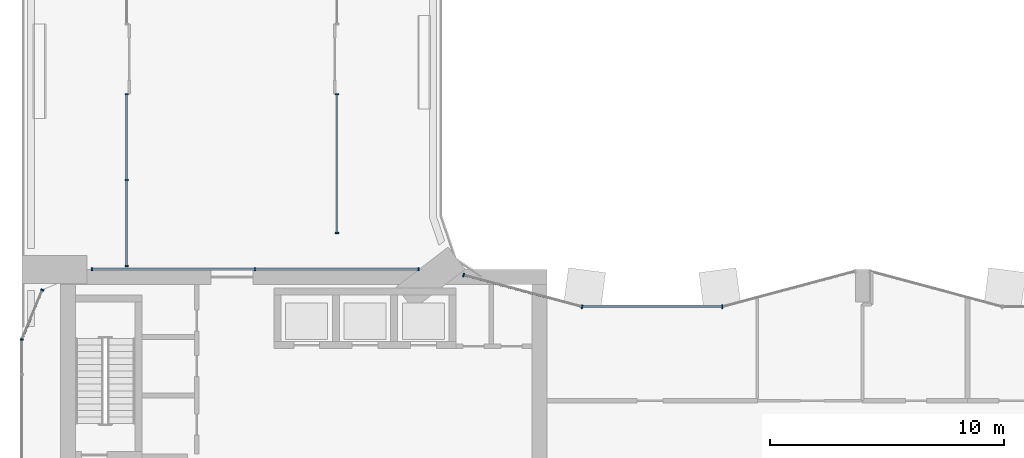
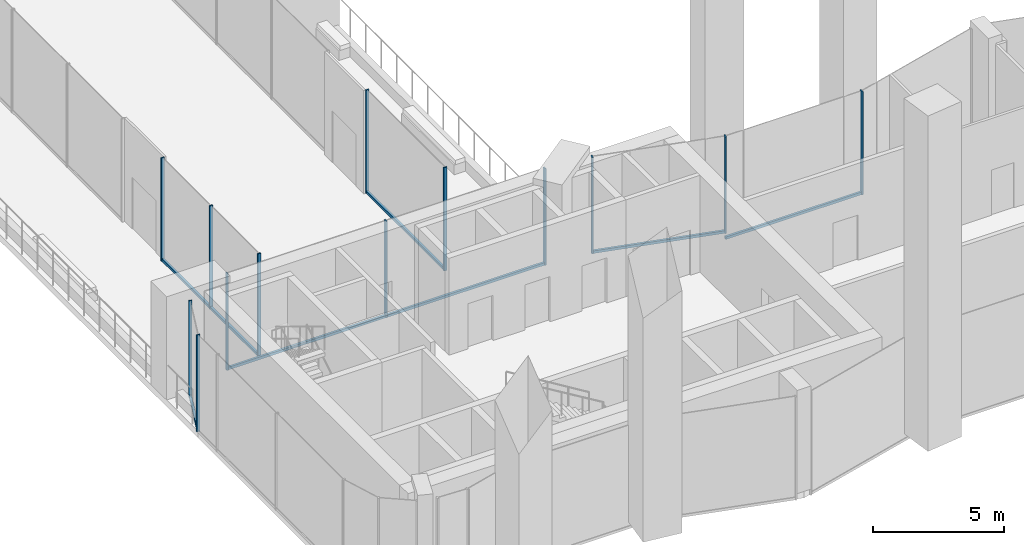
# One storey, part 4 of 23: 19 members, 7 elements without a shape of their own.
"""IFC4 building model written with IfcOpenShell, lengths in metres."""

from ifc_helpers import new_model, si_unit, direction, frame, origin, origin_2d, place, context, subcontext, project, spatial, rectangle, extrude, material, layer, layer_set, material_profile, profile_set, type_object, element, aggregate, save


model = new_model("IFC4")

# Units and contexts
model_context = context("Model", 3, precision=1e-05, world=origin(), true_north=direction((0.0, 1.0)))
body_context = subcontext(model_context, "Body", "Model", "MODEL_VIEW")
ifc_project = project(units=[si_unit("LENGTHUNIT", "METRE"), si_unit("AREAUNIT", "SQUARE_METRE"), si_unit("VOLUMEUNIT", "CUBIC_METRE"), si_unit("PLANEANGLEUNIT", "RADIAN"), si_unit("MASSUNIT", "GRAM", prefix="KILO")], contexts=[model_context])

# Site, building, storey
site_placement = place(None, origin())
site = spatial("IfcSite", under=ifc_project, at=site_placement, CompositionType="ELEMENT")
building_placement = place(site_placement, origin())
building = spatial("IfcBuilding", under=site, at=building_placement, Name="Plateau Cross Towers", CompositionType="ELEMENT")
storey_placement = place(building_placement, frame((0.0, 0.0, 123.800048828125)))
storey = spatial("IfcBuildingStorey", under=building, at=storey_placement, Name="L32", CompositionType="ELEMENT", Elevation=123.800048828125)

# Curtain wall, members
ifc_material_1 = material(Name="Dark low-iron glass", Category="glass")
ifc_layer_1 = layer(ifc_material_1, 0.239990234375)
ifc_layer_set_1 = layer_set([ifc_layer_1], Name="Dark low-iron glass")
curtain_wall_type_1 = type_object("IfcCurtainWallType", Name="Curtain wall flush unitised CW-B", PredefinedType="NOTDEFINED", material=ifc_layer_set_1)
curtain_wall_1_placement = place(storey_placement, origin())
curtain_wall_1 = element("IfcCurtainWall", 1, at=curtain_wall_1_placement, inside=storey, type_object=curtain_wall_type_1, Name="ENV/A/L32/A170_180", PredefinedType="NOTDEFINED")
ifc_material_2 = material(Name="Black anodised aluminium", Category="aluminium")
ifc_material_profile_1 = material_profile(ifc_material_2, rectangle(XDim=0.06005859375, YDim=0.139892578125, at=origin_2d()), Name="MULLION 60x140")
ifc_profile_set_1 = profile_set([ifc_material_profile_1], Name="Black anodised aluminium")
member_type_1 = type_object("IfcMemberType", Name="Mullion 60x140 flush unitised", PredefinedType="MULLION", material=ifc_profile_set_1)
member_1_placement = place(storey_placement, frame((16.981689453125, 18.0, 0.0), z_axis=(0.0, 0.0, 1.0), x_axis=(-1.0, 0.0, 0.0)))
member_1 = element("IfcMember", 2, at=member_1_placement, type_object=member_type_1, Name="CW-B mullion 1", PredefinedType="MULLION", context=body_context, shape_type="SweptSolid", body=[
    extrude(rectangle(XDim=0.06005859375, YDim=0.139892578125, at=origin_2d()), origin(), (0.0, 0.0, 1.0), 4.5),
])
member_2_placement = place(storey_placement, frame((9.99072265625, 18.0, 0.0), z_axis=(0.0, 0.0, 1.0), x_axis=(-1.0, 0.0, 0.0)))
member_2 = element("IfcMember", 3, at=member_2_placement, type_object=member_type_1, Name="CW-B mullion 2", PredefinedType="MULLION", context=body_context, shape_type="SweptSolid", body=[
    extrude(rectangle(XDim=0.06005859375, YDim=0.139892578125, at=origin_2d()), origin(), (0.0, 0.0, 1.0), 4.5),
])
member_3_placement = place(storey_placement, frame((3.0, 18.0, 0.0), z_axis=(0.0, 0.0, 1.0), x_axis=(-1.0, 0.0, 0.0)))
member_3 = element("IfcMember", 4, at=member_3_placement, type_object=member_type_1, Name="CW-B mullion 3", PredefinedType="MULLION", context=body_context, shape_type="SweptSolid", body=[
    extrude(rectangle(XDim=0.06005859375, YDim=0.139892578125, at=origin_2d()), origin(), (0.0, 0.0, 1.0), 4.5),
])

# Curtain wall, member
curtain_wall_2_placement = place(storey_placement, origin())
curtain_wall_2 = element("IfcCurtainWall", 5, at=curtain_wall_2_placement, inside=storey, type_object=curtain_wall_type_1, Name="ENV/A/L32/A9_171", PredefinedType="NOTDEFINED")
member_4_placement = place(storey_placement, frame((0.878662109375, 17.121337890625, 0.0), z_axis=(0.0, 0.0, 1.0), x_axis=(-0.382683612978, -0.923879457699, 0.0)))
member_4 = element("IfcMember", 6, at=member_4_placement, type_object=member_type_1, Name="CW-B mullion 1", PredefinedType="MULLION", context=body_context, shape_type="SweptSolid", body=[
    extrude(rectangle(XDim=0.06005859375, YDim=0.139892578125, at=origin_2d()), origin(), (0.0, 0.0, 1.0), 4.5),
])

curtain_wall_3_placement = place(storey_placement, origin())
curtain_wall_3 = element("IfcCurtainWall", 7, at=curtain_wall_3_placement, inside=storey, type_object=curtain_wall_type_1, Name="ENV/A/L32/A0_150", PredefinedType="NOTDEFINED")
member_5_placement = place(storey_placement, frame((0.0, 15.0, 0.0), z_axis=(0.0, 0.0, 1.0), x_axis=(0.0, -1.0, 0.0)))
member_5 = element("IfcMember", 8, at=member_5_placement, type_object=member_type_1, Name="CW-B mullion 1", PredefinedType="MULLION", context=body_context, shape_type="SweptSolid", body=[
    extrude(rectangle(XDim=0.06005859375, YDim=0.139892578125, at=origin_2d()), origin(), (0.0, 0.0, 1.0), 4.5),
])
aggregate(curtain_wall_3, [member_5])

# Curtain wall, members
curtain_wall_4_placement = place(storey_placement, origin())
curtain_wall_4 = element("IfcCurtainWall", 9, at=curtain_wall_4_placement, inside=storey, type_object=curtain_wall_type_1, Name="ENV/A/L32/sky135_255_135_196", PredefinedType="NOTDEFINED")
member_6_placement = place(storey_placement, frame((13.5, 25.5, 0.0), z_axis=(0.0, 0.0, 1.0), x_axis=(0.0, -1.0, 0.0)))
member_6 = element("IfcMember", 10, at=member_6_placement, type_object=member_type_1, Name="CW-B mullion 1", PredefinedType="MULLION", context=body_context, shape_type="SweptSolid", body=[
    extrude(rectangle(XDim=0.06005859375, YDim=0.139892578125, at=origin_2d()), origin(), (0.0, 0.0, 1.0), 4.800048828125),
])
member_7_placement = place(storey_placement, frame((13.5, 19.559326171875, 0.0), z_axis=(0.0, 0.0, 1.0), x_axis=(0.0, -1.0, 0.0)))
member_7 = element("IfcMember", 11, at=member_7_placement, type_object=member_type_1, Name="CW-B mullion 2", PredefinedType="MULLION", context=body_context, shape_type="SweptSolid", body=[
    extrude(rectangle(XDim=0.06005859375, YDim=0.139892578125, at=origin_2d()), origin(), (0.0, 0.0, 1.0), 4.800048828125),
])

curtain_wall_5_placement = place(storey_placement, origin())
curtain_wall_5 = element("IfcCurtainWall", 12, at=curtain_wall_5_placement, inside=storey, type_object=curtain_wall_type_1, Name="ENV/A/L32/sky45_182_45_255", PredefinedType="NOTDEFINED")
member_8_placement = place(storey_placement, frame((4.5, 18.14990234375, 0.0), z_axis=(0.0, 0.0, 1.0), x_axis=(0.0, 1.0, 0.0)))
member_8 = element("IfcMember", 13, at=member_8_placement, type_object=member_type_1, Name="CW-B mullion 1", PredefinedType="MULLION", context=body_context, shape_type="SweptSolid", body=[
    extrude(rectangle(XDim=0.06005859375, YDim=0.139892578125, at=origin_2d()), origin(), (0.0, 0.0, 1.0), 4.800048828125),
])
member_9_placement = place(storey_placement, frame((4.5, 21.824951171875, 0.0), z_axis=(0.0, 0.0, 1.0), x_axis=(0.0, 1.0, 0.0)))
member_9 = element("IfcMember", 14, at=member_9_placement, type_object=member_type_1, Name="CW-B mullion 2", PredefinedType="MULLION", context=body_context, shape_type="SweptSolid", body=[
    extrude(rectangle(XDim=0.06005859375, YDim=0.139892578125, at=origin_2d()), origin(), (0.0, 0.0, 1.0), 4.800048828125),
])
member_10_placement = place(storey_placement, frame((4.5, 25.5, 0.0), z_axis=(0.0, 0.0, 1.0), x_axis=(0.0, 1.0, 0.0)))
member_10 = element("IfcMember", 15, at=member_10_placement, type_object=member_type_1, Name="CW-B mullion 3", PredefinedType="MULLION", context=body_context, shape_type="SweptSolid", body=[
    extrude(rectangle(XDim=0.06005859375, YDim=0.139892578125, at=origin_2d()), origin(), (0.0, 0.0, 1.0), 4.800048828125),
])

# Curtain wall, member
ifc_layer_2 = layer(ifc_material_1, 0.260009765625)
ifc_layer_set_2 = layer_set([ifc_layer_2], Name="Dark low-iron glass")
curtain_wall_type_2 = type_object("IfcCurtainWallType", Name="Curtain wall fluted unitised CW-A", PredefinedType="NOTDEFINED", material=ifc_layer_set_2)
curtain_wall_6_placement = place(storey_placement, origin())
curtain_wall_6 = element("IfcCurtainWall", 16, at=curtain_wall_6_placement, inside=storey, type_object=curtain_wall_type_2, Name="ENV/A/L32/A300_164", PredefinedType="NOTDEFINED")
ifc_material_profile_2 = material_profile(ifc_material_2, rectangle(XDim=0.06005859375, YDim=0.159912109375, at=origin_2d()), Name="MULLION 60x160")
ifc_profile_set_2 = profile_set([ifc_material_profile_2], Name="Black anodised aluminium")
member_type_2 = type_object("IfcMemberType", Name="Mullion 60x160 fluted unitised", PredefinedType="MULLION", material=ifc_profile_set_2)
member_11_placement = place(storey_placement, frame((30.0, 16.39306640625, -0.300048828125), z_axis=(0.0, 0.0, 1.0), x_axis=(-1.0, 0.0, 0.0)))
member_11 = element("IfcMember", 17, at=member_11_placement, type_object=member_type_2, Name="CW-A mullion 1", PredefinedType="MULLION", context=body_context, shape_type="SweptSolid", body=[
    extrude(rectangle(XDim=0.06005859375, YDim=0.159912109375, at=origin_2d()), origin(), (0.0, 0.0, 1.0), 4.800048828125),
])

# Curtain wall, members
curtain_wall_7_placement = place(storey_placement, origin())
curtain_wall_7 = element("IfcCurtainWall", 18, at=curtain_wall_7_placement, inside=storey, type_object=curtain_wall_type_2, Name="ENV/A/L32/A240_164", PredefinedType="NOTDEFINED")
member_12_placement = place(storey_placement, frame((24.0, 16.39306640625, 0.0), z_axis=(0.0, 0.0, 1.0), x_axis=(-0.965957983404, 0.258699003279, 0.0)))
member_12 = element("IfcMember", 19, at=member_12_placement, type_object=member_type_2, Name="CW-A mullion 1", PredefinedType="MULLION", context=body_context, shape_type="SweptSolid", body=[
    extrude(rectangle(XDim=0.06005859375, YDim=0.159912109375, at=origin_2d()), origin(), (0.0, 0.0, 1.0), 4.5),
])
member_13_placement = place(storey_placement, frame((18.923095703125, 17.752685546875, 0.0), z_axis=(0.0, 0.0, 1.0), x_axis=(-0.965957983404, 0.258699003279, 0.0)))
member_13 = element("IfcMember", 20, at=member_13_placement, type_object=member_type_2, Name="CW-A mullion 2", PredefinedType="MULLION", context=body_context, shape_type="SweptSolid", body=[
    extrude(rectangle(XDim=0.06005859375, YDim=0.159912109375, at=origin_2d()), origin(), (0.0, 0.0, 1.0), 4.5),
])

# Member
ifc_material_profile_3 = material_profile(ifc_material_2, rectangle(XDim=0.10009765625, YDim=0.1201171875, at=origin_2d()), Name="TRANSOM 100x120")
ifc_profile_set_3 = profile_set([ifc_material_profile_3], Name="Black anodised aluminium")
member_type_3 = type_object("IfcMemberType", Name="Transom 100x120 flush unitised", PredefinedType="USERDEFINED", material=ifc_profile_set_3)
member_14_placement = place(storey_placement, frame((16.981689453125, 18.0, 0.06005859375), z_axis=(-1.0, 0.0, 0.0), x_axis=(0.0, -1.0, 0.0)))
member_14 = element("IfcMember", 21, at=member_14_placement, type_object=member_type_3, Name="CW-B transom", ObjectType="TRANSOM", PredefinedType="USERDEFINED", context=body_context, shape_type="SweptSolid", body=[
    extrude(rectangle(XDim=0.10009765625, YDim=0.1201171875, at=origin_2d()), origin(), (0.0, 0.0, 1.0), 13.981689453125),
])

aggregate(curtain_wall_1, [member_1, member_2, member_3, member_14])

member_15_placement = place(storey_placement, frame((0.878662109375, 17.121337890625, 0.06005859375), z_axis=(-0.382674207535, -0.923883353507, 0.0), x_axis=(0.923883353507, -0.382674207535, 0.0)))
member_15 = element("IfcMember", 22, at=member_15_placement, type_object=member_type_3, Name="CW-B transom", ObjectType="TRANSOM", PredefinedType="USERDEFINED", context=body_context, shape_type="SweptSolid", body=[
    extrude(rectangle(XDim=0.10009765625, YDim=0.1201171875, at=origin_2d()), origin(), (0.0, 0.0, 1.0), 2.296142578125),
])

aggregate(curtain_wall_2, [member_4, member_15])

member_16_placement = place(storey_placement, frame((13.5, 25.5, 0.06005859375), z_axis=(0.0, -1.0, 0.0), x_axis=(1.0, 0.0, 0.0)))
member_16 = element("IfcMember", 23, at=member_16_placement, type_object=member_type_3, Name="CW-B transom", ObjectType="TRANSOM", PredefinedType="USERDEFINED", context=body_context, shape_type="SweptSolid", body=[
    extrude(rectangle(XDim=0.10009765625, YDim=0.1201171875, at=origin_2d()), origin(), (0.0, 0.0, 1.0), 5.940673828125),
])

aggregate(curtain_wall_4, [member_6, member_7, member_16])

member_17_placement = place(storey_placement, frame((4.5, 18.14990234375, 0.06005859375), z_axis=(0.0, 1.0, 0.0), x_axis=(-1.0, 0.0, 0.0)))
member_17 = element("IfcMember", 24, at=member_17_placement, type_object=member_type_3, Name="CW-B transom", ObjectType="TRANSOM", PredefinedType="USERDEFINED", context=body_context, shape_type="SweptSolid", body=[
    extrude(rectangle(XDim=0.10009765625, YDim=0.1201171875, at=origin_2d()), origin(), (0.0, 0.0, 1.0), 7.35009765625),
])

aggregate(curtain_wall_5, [member_8, member_9, member_10, member_17])

ifc_material_profile_4 = material_profile(ifc_material_2, rectangle(XDim=0.10009765625, YDim=0.1201171875, at=origin_2d()), Name="TRANSOM 100x120")
ifc_profile_set_4 = profile_set([ifc_material_profile_4], Name="Black anodised aluminium")
member_type_4 = type_object("IfcMemberType", Name="Transom 100x120 fluted unitised", PredefinedType="USERDEFINED", material=ifc_profile_set_4)
member_18_placement = place(storey_placement, frame((30.0, 16.39306640625, -0.239990234375), z_axis=(-1.0, 0.0, 0.0), x_axis=(0.0, -1.0, 0.0)))
member_18 = element("IfcMember", 25, at=member_18_placement, type_object=member_type_4, Name="CW-A transom", ObjectType="TRANSOM", PredefinedType="USERDEFINED", context=body_context, shape_type="SweptSolid", body=[
    extrude(rectangle(XDim=0.10009765625, YDim=0.1201171875, at=origin_2d()), origin(), (0.0, 0.0, 1.0), 6.0),
])

aggregate(curtain_wall_6, [member_11, member_18])

member_19_placement = place(storey_placement, frame((24.0, 16.39306640625, 0.06005859375), z_axis=(-0.965960696348, 0.258688873189, 0.0), x_axis=(-0.258688873189, -0.965960696348, 0.0)))
member_19 = element("IfcMember", 26, at=member_19_placement, type_object=member_type_4, Name="CW-A transom", ObjectType="TRANSOM", PredefinedType="USERDEFINED", context=body_context, shape_type="SweptSolid", body=[
    extrude(rectangle(XDim=0.10009765625, YDim=0.1201171875, at=origin_2d()), origin(), (0.0, 0.0, 1.0), 5.255859375),
])

aggregate(curtain_wall_7, [member_12, member_13, member_19])

save(model, "model.ifc")
